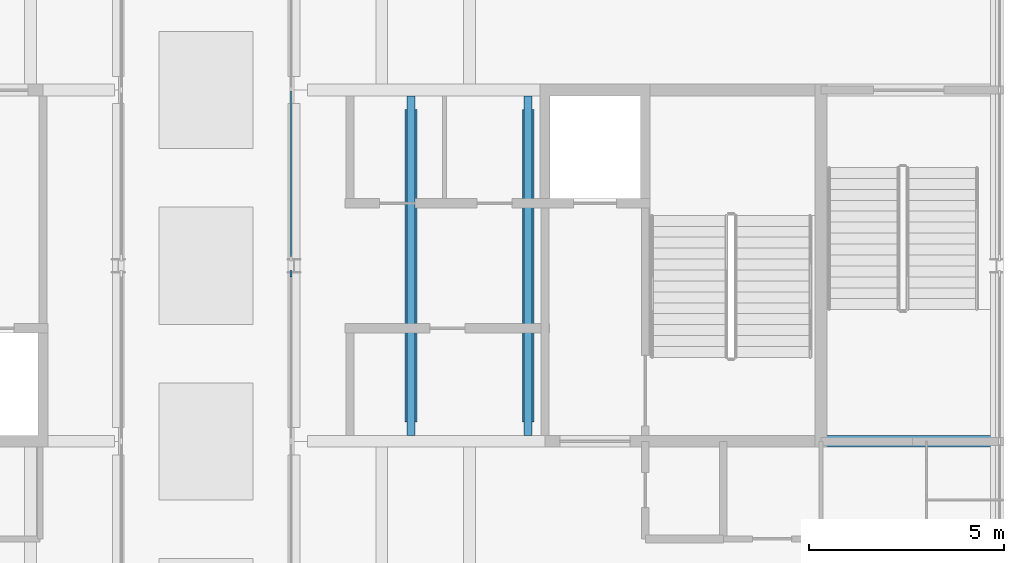
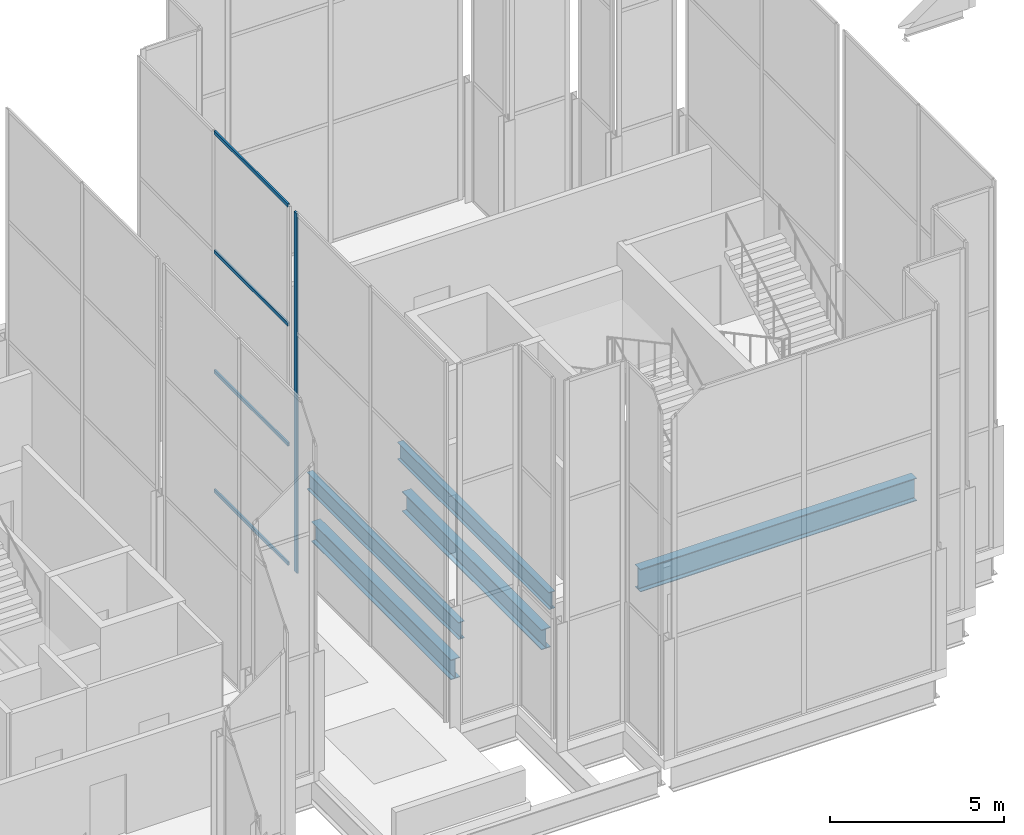
# One storey, part 5 of 23: 5 beams, 5 members, 2 elements without a shape of their own.
"""IFC4 building model written with IfcOpenShell, lengths in metres."""

from ifc_helpers import new_model, si_unit, direction, frame, origin, origin_2d, place, context, subcontext, project, spatial, rectangle, i_section, extrude, material, layer, layer_set, material_profile, profile_set, type_object, element, aggregate, save


model = new_model("IFC4")

# Units and contexts
model_context = context("Model", 3, precision=1e-05, world=origin(), true_north=direction((0.0, 1.0)))
body_context = subcontext(model_context, "Body", "Model", "MODEL_VIEW")
ifc_project = project(units=[si_unit("LENGTHUNIT", "METRE"), si_unit("AREAUNIT", "SQUARE_METRE"), si_unit("VOLUMEUNIT", "CUBIC_METRE"), si_unit("PLANEANGLEUNIT", "RADIAN"), si_unit("MASSUNIT", "GRAM", prefix="KILO")], contexts=[model_context])

# Site, building, storey
site_placement = place(None, origin())
site = spatial("IfcSite", under=ifc_project, at=site_placement, CompositionType="ELEMENT")
building_placement = place(site_placement, origin())
building = spatial("IfcBuilding", under=site, at=building_placement, Name="Caravel Reach Hotel and Residences", CompositionType="ELEMENT")
storey_placement = place(building_placement, frame((0.0, 0.0, 312.800048828125)))
storey = spatial("IfcBuildingStorey", under=building, at=storey_placement, Name="L79", CompositionType="ELEMENT", Elevation=312.800048828125)

# Beams
ifc_material_1 = material(Name="Structural steel Q355B", Category="steel")
ifc_material_profile_1 = material_profile(ifc_material_1, i_section(OverallWidth=0.199951171875, OverallDepth=0.60009765625, WebThickness=0.010986328125, FlangeThickness=0.01708984375, FilletRadius=0.012939453125, at=origin_2d()), Name="HN 600x200x11x17")
ifc_profile_set_1 = profile_set([ifc_material_profile_1], Name="Structural steel Q355B")
beam_type_1 = type_object("IfcBeamType", Name="Beam HN 600x200x11x17", PredefinedType="BEAM", material=ifc_profile_set_1)
for number, where, z_axis, x_axis, name in (
    (1, (34.5, 22.64990234375, -0.60009765625), (0.0, 1.0, 0.0), (-1.0, 0.0, 0.0), "B1 HN 600x200x11x17"),
    (2, (37.5, 22.64990234375, -0.60009765625), (0.0, 1.0, 0.0), (-1.0, 0.0, 0.0), "B1 HN 600x200x11x17"),
):
    element("IfcBeam", number, at=place(storey_placement, frame(where, z_axis=z_axis, x_axis=x_axis)), inside=storey, type_object=beam_type_1, Name=name, PredefinedType="BEAM", context=body_context, shape_type="SweptSolid", body=[
        extrude(i_section(OverallWidth=0.199951171875, OverallDepth=0.60009765625, WebThickness=0.010986328125, FlangeThickness=0.01708984375, FilletRadius=0.012939453125, at=origin_2d()), origin(), (0.0, 0.0, 1.0), 8.7001953125),
    ])
ifc_material_2 = material(Name="Structural steel Q355B", Category="steel")
ifc_material_profile_2 = material_profile(ifc_material_2, i_section(OverallWidth=0.300048828125, OverallDepth=0.699951171875, WebThickness=0.012939453125, FlangeThickness=0.02392578125, FilletRadius=0.01806640625, at=origin_2d()), Name="HN 700x300x13x24")
ifc_profile_set_2 = profile_set([ifc_material_profile_2], Name="Structural steel Q355B")
beam_type_2 = type_object("IfcBeamType", Name="Beam HN 700x300x13x24", PredefinedType="BEAM", material=ifc_profile_set_2)
for number, where, z_axis, x_axis, name in (
    (3, (34.5, 23.0, -2.150146484375), (0.0, 1.0, 0.0), (-1.0, 0.0, 0.0), "Tuned mass damper TMD1 cradle girder"),
    (4, (37.5, 23.0, -2.150146484375), (0.0, 1.0, 0.0), (-1.0, 0.0, 0.0), "Tuned mass damper TMD1 cradle girder"),
):
    element("IfcBeam", number, at=place(storey_placement, frame(where, z_axis=z_axis, x_axis=x_axis)), inside=storey, type_object=beam_type_2, Name=name, PredefinedType="BEAM", context=body_context, shape_type="SweptSolid", body=[
        extrude(i_section(OverallWidth=0.300048828125, OverallDepth=0.699951171875, WebThickness=0.012939453125, FlangeThickness=0.02392578125, FilletRadius=0.01806640625, at=origin_2d()), origin(), (0.0, 0.0, 1.0), 8.0),
    ])
ifc_material_3 = material(Name="Structural steel Q355B", Category="steel")
ifc_material_profile_3 = material_profile(ifc_material_3, i_section(OverallWidth=0.300048828125, OverallDepth=0.800048828125, WebThickness=0.013916015625, FlangeThickness=0.02587890625, FilletRadius=0.01806640625, at=origin_2d()), Name="HN 800x300x14x26")
ifc_profile_set_3 = profile_set([ifc_material_profile_3], Name="Structural steel Q355B")
beam_type_3 = type_object("IfcBeamType", Name="Beam HN 800x300x14x26", PredefinedType="BEAM", material=ifc_profile_set_3)
beam_placement = place(storey_placement, frame((40.25, 22.5, -0.699951171875), z_axis=(1.0, 0.0, 0.0), x_axis=(0.0, 1.0, 0.0)))
element("IfcBeam", 5, at=beam_placement, inside=storey, type_object=beam_type_3, Name="B4 HN 800x300x14x26", PredefinedType="BEAM", context=body_context, shape_type="SweptSolid", body=[
    extrude(i_section(OverallWidth=0.300048828125, OverallDepth=0.800048828125, WebThickness=0.013916015625, FlangeThickness=0.02587890625, FilletRadius=0.01806640625, at=origin_2d()), origin(), (0.0, 0.0, 1.0), 9.14990234375),
])

# Curtain wall, member
ifc_material_4 = material(Name="Dark low-e glazing in black aluminium frame", Category="aluminium")
ifc_layer = layer(ifc_material_4, 0.199951171875)
ifc_layer_set = layer_set([ifc_layer], Name="CW4 Crown glazing")
curtain_wall_type = type_object("IfcCurtainWallType", Name="CW4 Crown glazing", PredefinedType="NOTDEFINED", material=ifc_layer_set)
curtain_wall_1_placement = place(storey_placement, origin())
curtain_wall_1 = element("IfcCurtainWall", 6, at=curtain_wall_1_placement, inside=storey, type_object=curtain_wall_type, Name="Crown glazing b1", PredefinedType="NOTDEFINED")
ifc_material_5 = material(Name="Anodised aluminium alloy 6063-T5, black", Category="aluminium")
ifc_material_profile_4 = material_profile(ifc_material_5, rectangle(XDim=0.06005859375, YDim=0.159912109375, at=origin_2d()), Name="CW mullion 60 x 160")
ifc_profile_set_4 = profile_set([ifc_material_profile_4], Name="Anodised aluminium alloy 6063-T5, black")
member_type_1 = type_object("IfcMemberType", Name="CW mullion 60 x 160", PredefinedType="MULLION", material=ifc_profile_set_4)
member_1_placement = place(storey_placement, frame((31.425048828125, 26.794921875, 0.0), z_axis=(0.0, 0.0, 1.0), x_axis=(1.0, 0.0, 0.0)))
member_1 = element("IfcMember", 7, at=member_1_placement, type_object=member_type_1, Name="CW4 mullion 1", PredefinedType="MULLION", context=body_context, shape_type="SweptSolid", body=[
    extrude(rectangle(XDim=0.06005859375, YDim=0.159912109375, at=origin_2d()), origin(), (0.0, 0.0, 1.0), 12.599853515625),
])
aggregate(curtain_wall_1, [member_1])

# Curtain wall, members
curtain_wall_2_placement = place(storey_placement, origin())
curtain_wall_2 = element("IfcCurtainWall", 8, at=curtain_wall_2_placement, inside=storey, type_object=curtain_wall_type, Name="Crown glazing b0", PredefinedType="NOTDEFINED")
ifc_material_6 = material(Name="Anodised aluminium alloy 6063-T5, black", Category="aluminium")
ifc_material_profile_5 = material_profile(ifc_material_6, rectangle(XDim=0.06005859375, YDim=0.1201171875, at=origin_2d()), Name="CW transom 60 x 120")
ifc_profile_set_5 = profile_set([ifc_material_profile_5], Name="Anodised aluminium alloy 6063-T5, black")
member_type_2 = type_object("IfcMemberType", Name="CW transom 60 x 120", PredefinedType="USERDEFINED", material=ifc_profile_set_5)
member_2_placement = place(storey_placement, frame((31.425048828125, 31.469970703125, 0.030029296875), z_axis=(0.0, -1.0, 0.0), x_axis=(1.0, 0.0, 0.0)))
member_2 = element("IfcMember", 9, at=member_2_placement, type_object=member_type_2, Name="CW4 transom 2.1", ObjectType="TRANSOM", PredefinedType="USERDEFINED", context=body_context, shape_type="SweptSolid", body=[
    extrude(rectangle(XDim=0.06005859375, YDim=0.1201171875, at=origin_2d()), origin(), (0.0, 0.0, 1.0), 4.23486328125),
])
member_3_placement = place(storey_placement, frame((31.425048828125, 31.469970703125, 4.199951171875), z_axis=(0.0, -1.0, 0.0), x_axis=(1.0, 0.0, 0.0)))
member_3 = element("IfcMember", 10, at=member_3_placement, type_object=member_type_2, Name="CW4 transom 2.2", ObjectType="TRANSOM", PredefinedType="USERDEFINED", context=body_context, shape_type="SweptSolid", body=[
    extrude(rectangle(XDim=0.06005859375, YDim=0.1201171875, at=origin_2d()), origin(), (0.0, 0.0, 1.0), 4.23486328125),
])
member_4_placement = place(storey_placement, frame((31.425048828125, 31.469970703125, 8.39990234375), z_axis=(0.0, -1.0, 0.0), x_axis=(1.0, 0.0, 0.0)))
member_4 = element("IfcMember", 11, at=member_4_placement, type_object=member_type_2, Name="CW4 transom 2.3", ObjectType="TRANSOM", PredefinedType="USERDEFINED", context=body_context, shape_type="SweptSolid", body=[
    extrude(rectangle(XDim=0.06005859375, YDim=0.1201171875, at=origin_2d()), origin(), (0.0, 0.0, 1.0), 4.23486328125),
])
member_5_placement = place(storey_placement, frame((31.425048828125, 31.469970703125, 12.570068359375), z_axis=(0.0, -1.0, 0.0), x_axis=(1.0, 0.0, 0.0)))
member_5 = element("IfcMember", 12, at=member_5_placement, type_object=member_type_2, Name="CW4 transom 2.4", ObjectType="TRANSOM", PredefinedType="USERDEFINED", context=body_context, shape_type="SweptSolid", body=[
    extrude(rectangle(XDim=0.06005859375, YDim=0.1201171875, at=origin_2d()), origin(), (0.0, 0.0, 1.0), 4.23486328125),
])
aggregate(curtain_wall_2, [member_2, member_3, member_4, member_5])

save(model, "model.ifc")
